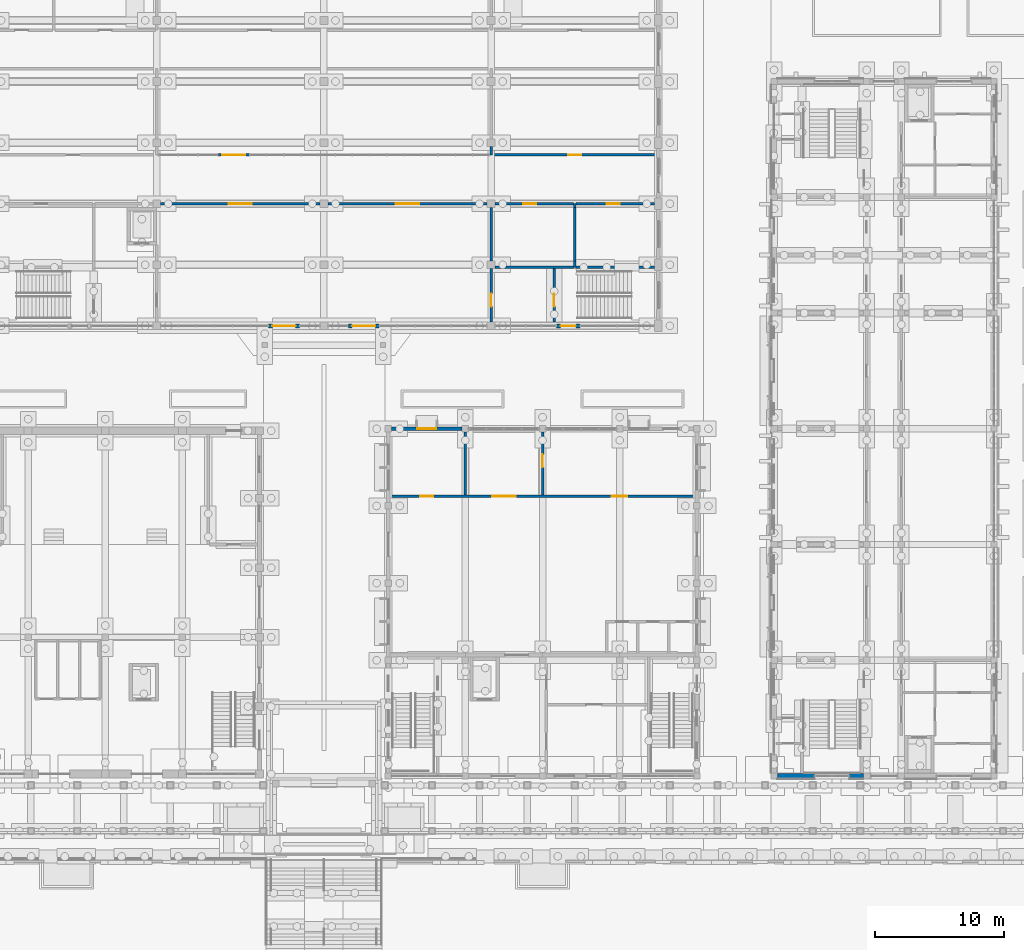
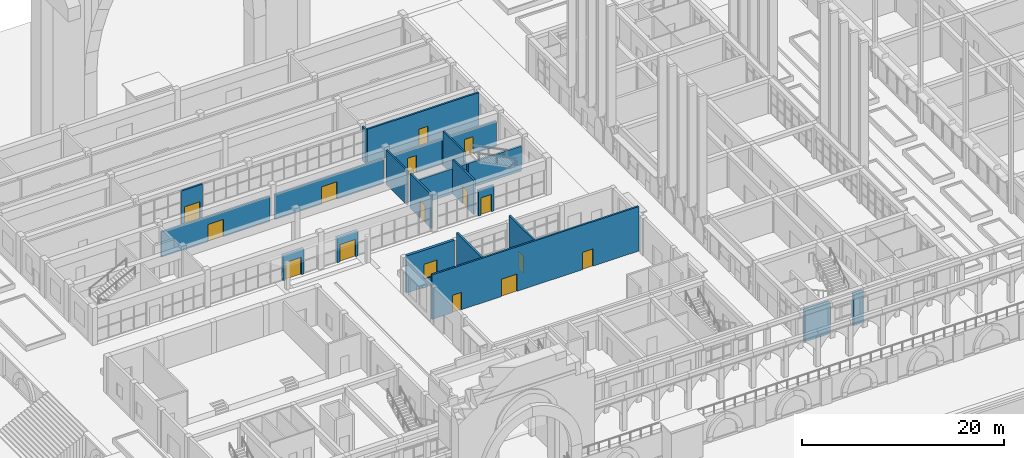
# One storey, part 56 of 161: 24 walls, 15 doors, 1 window, 16 openings.
"""IFC4 building model written with IfcOpenShell, lengths in metres."""

from ifc_helpers import new_model, si_unit, direction, frame, frame_2d, origin, place, context, subcontext, project, spatial, rectangle, extrude, material, layer, layer_set, type_object, element, fill, save


model = new_model("IFC4")

# Units and contexts
model_context = context("Model", 3, precision=1e-05, world=origin(), true_north=direction((0.0, 1.0)))
body_context = subcontext(model_context, "Body", "Model", "MODEL_VIEW")
ifc_project = project(units=[si_unit("LENGTHUNIT", "METRE"), si_unit("AREAUNIT", "SQUARE_METRE"), si_unit("VOLUMEUNIT", "CUBIC_METRE"), si_unit("PLANEANGLEUNIT", "RADIAN"), si_unit("MASSUNIT", "GRAM", prefix="KILO")], contexts=[model_context])

# Site, building, storey
site_placement = place(None, origin())
site = spatial("IfcSite", under=ifc_project, at=site_placement, CompositionType="ELEMENT")
building_placement = place(site_placement, origin())
building = spatial("IfcBuilding", under=site, at=building_placement, Name="Elbe Cascade School", CompositionType="ELEMENT")
storey_placement = place(building_placement, origin())
storey = spatial("IfcBuildingStorey", under=building, at=storey_placement, Name="L00", CompositionType="ELEMENT", Elevation=0.0)

# Walls
ifc_material_1 = material(Name="Brick masonry - red clinker, solid, sandstone-faced", Category="masonry")
ifc_layer_1 = layer(ifc_material_1, 0.39990234375)
ifc_layer_set_1 = layer_set([ifc_layer_1], Name="Brick masonry - red clinker, solid, sandstone-faced")
wall_type_1 = type_object("IfcWallType", Name="Bars envelope External wall - solid masonry core strip, sandstone faced, 400", PredefinedType="STANDARD", material=ifc_layer_set_1)
wall_1_placement = place(storey_placement, frame((72.14990234375, 5.97998046875, 0.0), z_axis=(0.0, 0.0, 1.0), x_axis=(-1.0, 0.0, 0.0)))
element("IfcWall", 1, at=wall_1_placement, inside=storey, type_object=wall_type_1, Name="External wall W31 A.L00.s1a", PredefinedType="STANDARD", context=body_context, shape_type="SweptSolid", body=[
    extrude(rectangle(XDim=2.89990234375, YDim=0.39990234375, at=frame_2d((1.449951171875, 0.0))), origin(), (0.0, 0.0, 1.0), 3.800048828125),
])
wall_2_placement = place(storey_placement, frame((75.949951171875, 5.97998046875, 0.0), z_axis=(0.0, 0.0, 1.0), x_axis=(-1.0, 0.0, 0.0)))
element("IfcWall", 2, at=wall_2_placement, inside=storey, type_object=wall_type_1, Name="External wall W31 A.L00.s1b", PredefinedType="STANDARD", context=body_context, shape_type="SweptSolid", body=[
    extrude(rectangle(XDim=1.099853515625, YDim=0.39990234375, at=frame_2d((0.5498046875, 0.0))), origin(), (0.0, 0.0, 1.0), 3.800048828125),
])

# Wall, opening, window
ifc_material_2 = material(Name="Concrete C30/37", Category="concrete")
ifc_layer_2 = layer(ifc_material_2, 0.300048828125)
ifc_layer_set_2 = layer_set([ifc_layer_2], Name="Concrete C30/37")
wall_type_2 = type_object("IfcWallType", Name="Dining hall RC wall 300", PredefinedType="SOLIDWALL", material=ifc_layer_set_2)
wall_3_placement = place(storey_placement, frame((39.25, 33.0, 0.0), z_axis=(0.0, 0.0, 1.0), x_axis=(1.0, 0.0, 0.0)))
wall_3 = element("IfcWall", 3, at=wall_3_placement, inside=storey, type_object=wall_type_2, Name="Dining hall RC wall 300 W11", PredefinedType="SOLIDWALL", context=body_context, shape_type="SweptSolid", body=[
    extrude(rectangle(XDim=5.5, YDim=0.300048828125, at=frame_2d((2.75, 0.0))), origin(), (0.0, 0.0, 1.0), 4.5),
])
opening_1_placement = place(wall_3_placement, frame((2.0, 0.0, 1.0)))
opening_1 = element("IfcOpeningElement", 4, at=opening_1_placement, cuts=wall_3, Name="Opening W0.156", PredefinedType="OPENING", context=body_context, shape_type="SweptSolid", body=[
    extrude(rectangle(XDim=1.5, YDim=1.800048828125, at=frame_2d((0.75, 0.89990234375))), frame((0.0, 0.159912109375, 0.0), z_axis=(0.0, -1.0, 0.0), x_axis=(1.0, 0.0, 0.0)), (0.0, 0.0, 1.0), 0.320068359375),
])
ifc_material_3 = material(Name="Aluminium - bronze anodised", Category="aluminium")
window_type = type_object("IfcWindowType", Name="Dining kitchen window 1500x1800 sill 1000", PartitioningType="SINGLE_PANEL", PredefinedType="WINDOW", material=ifc_material_3)
window_placement = place(opening_1_placement, origin())
window = element("IfcWindow", 5, at=window_placement, inside=storey, type_object=window_type, Name="Dining kitchen window 1500x1800 sill 1000 W0.156", OverallHeight=1.800048828125, OverallWidth=1.5, PartitioningType="SINGLE_PANEL", PredefinedType="WINDOW", context=body_context, shape_type="SweptSolid", body=[
    extrude(rectangle(XDim=1.5, YDim=1.800048828125, at=frame_2d((0.75, 0.89990234375))), frame((0.0, 0.030029296875, 0.0), z_axis=(0.0, -1.0, 0.0), x_axis=(1.0, 0.0, 0.0)), (0.0, 0.0, 1.0), 0.06005859375),
])
fill(opening_1, window)

# Wall, openings, doors
ifc_material_4 = material(Name="Masonry - rendered blockwork", Category="masonry")
ifc_layer_3 = layer(ifc_material_4, 0.199951171875)
ifc_layer_set_3 = layer_set([ifc_layer_3], Name="Masonry - rendered blockwork")
wall_type_3 = type_object("IfcWallType", Name="Dining partition wall 200", PredefinedType="PARTITIONING", material=ifc_layer_set_3)
wall_4_placement = place(storey_placement, frame((39.14990234375, 27.75, 0.0), z_axis=(0.0, 0.0, 1.0), x_axis=(1.0, 0.0, 0.0)))
wall_4 = element("IfcWall", 6, at=wall_4_placement, inside=storey, type_object=wall_type_3, Name="Dining partition wall 200 W41", PredefinedType="PARTITIONING", context=body_context, shape_type="SweptSolid", body=[
    extrude(rectangle(XDim=23.7001953125, YDim=0.199951171875, at=frame_2d((11.85009765625, 0.0))), origin(), (0.0, 0.0, 1.0), 5.39990234375),
])
opening_2_placement = place(wall_4_placement, frame((2.35009765625, 0.0, 0.0)))
opening_2 = element("IfcOpeningElement", 7, at=opening_2_placement, cuts=wall_4, Name="Opening D0.184", PredefinedType="OPENING", context=body_context, shape_type="SweptSolid", body=[
    extrude(rectangle(XDim=1.0, YDim=2.10009765625, at=frame_2d((0.5, 1.050048828125))), frame((0.0, 0.10986328125, 0.0), z_axis=(0.0, -1.0, 0.0), x_axis=(1.0, 0.0, 0.0)), (0.0, 0.0, 1.0), 0.219970703125),
])
opening_3_placement = place(wall_4_placement, frame((7.949951171875, 0.0, 0.0)))
opening_3 = element("IfcOpeningElement", 8, at=opening_3_placement, cuts=wall_4, Name="Opening D0.185", PredefinedType="OPENING", context=body_context, shape_type="SweptSolid", body=[
    extrude(rectangle(XDim=1.800048828125, YDim=2.10009765625, at=frame_2d((0.89990234375, 1.050048828125))), frame((0.0, 0.10986328125, 0.0), z_axis=(0.0, -1.0, 0.0), x_axis=(1.0, 0.0, 0.0)), (0.0, 0.0, 1.0), 0.219970703125),
])
opening_4_placement = place(wall_4_placement, frame((17.25, 0.0, 0.0)))
opening_4 = element("IfcOpeningElement", 9, at=opening_4_placement, cuts=wall_4, Name="Opening D0.186", PredefinedType="OPENING", context=body_context, shape_type="SweptSolid", body=[
    extrude(rectangle(XDim=1.199951171875, YDim=2.10009765625, at=frame_2d((0.60009765625, 1.050048828125))), frame((0.0, 0.10986328125, 0.0), z_axis=(0.0, -1.0, 0.0), x_axis=(1.0, 0.0, 0.0)), (0.0, 0.0, 1.0), 0.219970703125),
])
ifc_material_5 = material(Name="Timber - oak door leaf", Category="wood")
door_type_1 = type_object("IfcDoorType", Name="Dining kitchen door 1200x2100 swing NOT RATED", OperationType="NOTDEFINED", PredefinedType="NOTDEFINED", material=ifc_material_5)
door_1_placement = place(opening_4_placement, origin())
door_1 = element("IfcDoor", 10, at=door_1_placement, inside=storey, type_object=door_type_1, Name="Dining kitchen door 1200x2100 swing NOT RATED D0.186", OperationType="SINGLE_SWING_LEFT", OverallHeight=2.10009765625, OverallWidth=1.199951171875, PredefinedType="NOTDEFINED", context=body_context, shape_type="SweptSolid", body=[
    extrude(rectangle(XDim=1.199951171875, YDim=2.10009765625, at=frame_2d((0.60009765625, 1.050048828125))), frame((0.0, 0.02490234375, 0.0), z_axis=(0.0, -1.0, 0.0), x_axis=(1.0, 0.0, 0.0)), (0.0, 0.0, 1.0), 0.050048828125),
])
fill(opening_4, door_1)
ifc_material_6 = material(Name="Timber - oak door leaf", Category="wood")
door_type_2 = type_object("IfcDoorType", Name="Dining servery door 1800x2100 double NOT RATED", OperationType="DOUBLE_DOOR_SINGLE_SWING", PredefinedType="NOTDEFINED", material=ifc_material_6)
door_2_placement = place(opening_3_placement, origin())
door_2 = element("IfcDoor", 11, at=door_2_placement, inside=storey, type_object=door_type_2, Name="Dining servery door 1800x2100 double NOT RATED D0.185", OperationType="DOUBLE_DOOR_SINGLE_SWING", OverallHeight=2.10009765625, OverallWidth=1.800048828125, PredefinedType="NOTDEFINED", context=body_context, shape_type="SweptSolid", body=[
    extrude(rectangle(XDim=1.800048828125, YDim=2.10009765625, at=frame_2d((0.89990234375, 1.050048828125))), frame((0.0, 0.02490234375, 0.0), z_axis=(0.0, -1.0, 0.0), x_axis=(1.0, 0.0, 0.0)), (0.0, 0.0, 1.0), 0.050048828125),
])
fill(opening_3, door_2)
ifc_material_7 = material(Name="Timber - oak door leaf", Category="wood")
door_type_3 = type_object("IfcDoorType", Name="Dining store door 1000x2100 swing NOT RATED", OperationType="NOTDEFINED", PredefinedType="NOTDEFINED", material=ifc_material_7)
door_3_placement = place(opening_2_placement, origin())
door_3 = element("IfcDoor", 12, at=door_3_placement, inside=storey, type_object=door_type_3, Name="Dining store door 1000x2100 swing NOT RATED D0.184", OperationType="SINGLE_SWING_RIGHT", OverallHeight=2.10009765625, OverallWidth=1.0, PredefinedType="NOTDEFINED", context=body_context, shape_type="SweptSolid", body=[
    extrude(rectangle(XDim=1.0, YDim=2.10009765625, at=frame_2d((0.5, 1.050048828125))), frame((0.0, 0.02490234375, 0.0), z_axis=(0.0, -1.0, 0.0), x_axis=(1.0, 0.0, 0.0)), (0.0, 0.0, 1.0), 0.050048828125),
])
fill(opening_2, door_3)

# Wall
wall_5_placement = place(storey_placement, frame((45.0, 27.85009765625, 0.0), z_axis=(0.0, 0.0, 1.0), x_axis=(0.0, 1.0, 0.0)))
element("IfcWall", 13, at=wall_5_placement, inside=storey, type_object=wall_type_3, Name="Dining partition wall 200 W41", PredefinedType="PARTITIONING", context=body_context, shape_type="SweptSolid", body=[
    extrude(rectangle(XDim=4.89990234375, YDim=0.199951171875, at=frame_2d((2.449951171875, 0.0))), origin(), (0.0, 0.0, 1.0), 5.39990234375),
])

# Wall, opening, door
wall_6_placement = place(storey_placement, frame((51.0, 27.85009765625, 0.0), z_axis=(0.0, 0.0, 1.0), x_axis=(0.0, 1.0, 0.0)))
wall_6 = element("IfcWall", 14, at=wall_6_placement, inside=storey, type_object=wall_type_3, Name="Dining partition wall 200 W41", PredefinedType="PARTITIONING", context=body_context, shape_type="SweptSolid", body=[
    extrude(rectangle(XDim=4.89990234375, YDim=0.199951171875, at=frame_2d((2.449951171875, 0.0))), origin(), (0.0, 0.0, 1.0), 5.39990234375),
])
opening_5_placement = place(wall_6_placement, frame((2.14990234375, 0.0, 0.0)))
opening_5 = element("IfcOpeningElement", 15, at=opening_5_placement, cuts=wall_6, Name="Opening D0.187", PredefinedType="OPENING", context=body_context, shape_type="SweptSolid", body=[
    extrude(rectangle(XDim=1.0, YDim=2.10009765625, at=frame_2d((0.5, 1.050048828125))), frame((0.0, 0.10986328125, 0.0), z_axis=(0.0, -1.0, 0.0), x_axis=(1.0, 0.0, 0.0)), (0.0, 0.0, 1.0), 0.219970703125),
])
ifc_material_8 = material(Name="Timber - oak door leaf", Category="wood")
door_type_4 = type_object("IfcDoorType", Name="Dining kitchen door 1000x2100 swing NOT RATED", OperationType="NOTDEFINED", PredefinedType="NOTDEFINED", material=ifc_material_8)
door_4_placement = place(opening_5_placement, origin())
door_4 = element("IfcDoor", 16, at=door_4_placement, inside=storey, type_object=door_type_4, Name="Dining kitchen door 1000x2100 swing NOT RATED D0.187", OperationType="SINGLE_SWING_RIGHT", OverallHeight=2.10009765625, OverallWidth=1.0, PredefinedType="NOTDEFINED", context=body_context, shape_type="SweptSolid", body=[
    extrude(rectangle(XDim=1.0, YDim=2.10009765625, at=frame_2d((0.5, 1.050048828125))), frame((0.0, 0.02490234375, 0.0), z_axis=(0.0, -1.0, 0.0), x_axis=(1.0, 0.0, 0.0)), (0.0, 0.0, 1.0), 0.050048828125),
])
fill(opening_5, door_4)

ifc_material_9 = material(Name="Blockwork - lightweight aggregate", Category="masonry")
ifc_layer_4 = layer(ifc_material_9, 0.199951171875)
ifc_layer_set_4 = layer_set([ifc_layer_4], Name="Blockwork - lightweight aggregate")
wall_type_4 = type_object("IfcWallType", Name="Hall blockwork partition 200", PredefinedType="PARTITIONING", material=ifc_layer_set_4)
wall_7_placement = place(storey_placement, frame((21.300048828125, 50.5, 0.0), z_axis=(0.0, 0.0, 1.0), x_axis=(1.0, 0.0, 0.0)))
wall_7 = element("IfcWall", 17, at=wall_7_placement, inside=storey, type_object=wall_type_4, Name="Partition", PredefinedType="PARTITIONING", context=body_context, shape_type="SweptSolid", body=[
    extrude(rectangle(XDim=12.39990234375, YDim=0.199951171875, at=frame_2d((6.199951171875, 0.0))), origin(), (0.0, 0.0, 1.0), 3.050048828125),
])
opening_6_placement = place(wall_7_placement, frame((5.300048828125, 0.0, 0.0)))
opening_6 = element("IfcOpeningElement", 18, at=opening_6_placement, cuts=wall_7, Name="Opening D0.137", PredefinedType="OPENING", context=body_context, shape_type="SweptSolid", body=[
    extrude(rectangle(XDim=1.800048828125, YDim=2.10009765625, at=frame_2d((0.89990234375, 1.050048828125))), frame((0.0, 0.10986328125, 0.0), z_axis=(0.0, -1.0, 0.0), x_axis=(1.0, 0.0, 0.0)), (0.0, 0.0, 1.0), 0.219970703125),
])
ifc_material_10 = material(Name="Timber door leaf", Category="wood")
door_type_5 = type_object("IfcDoorType", Name="Hall double door 1800", OperationType="DOUBLE_DOOR_SINGLE_SWING", PredefinedType="DOOR", material=ifc_material_10)
door_5_placement = place(opening_6_placement, origin())
door_5 = element("IfcDoor", 19, at=door_5_placement, inside=storey, type_object=door_type_5, Name="Hall door", OperationType="DOUBLE_DOOR_SINGLE_SWING", OverallHeight=2.10009765625, OverallWidth=1.800048828125, PredefinedType="DOOR", context=body_context, shape_type="SweptSolid", body=[
    extrude(rectangle(XDim=1.800048828125, YDim=2.10009765625, at=frame_2d((0.89990234375, 1.050048828125))), frame((0.0, 0.02490234375, 0.0), z_axis=(0.0, -1.0, 0.0), x_axis=(1.0, 0.0, 0.0)), (0.0, 0.0, 1.0), 0.050048828125),
])
fill(opening_6, door_5)

wall_8_placement = place(storey_placement, frame((34.300048828125, 50.5, 0.0), z_axis=(0.0, 0.0, 1.0), x_axis=(1.0, 0.0, 0.0)))
wall_8 = element("IfcWall", 20, at=wall_8_placement, inside=storey, type_object=wall_type_4, Name="Partition", PredefinedType="PARTITIONING", context=body_context, shape_type="SweptSolid", body=[
    extrude(rectangle(XDim=12.39990234375, YDim=0.199951171875, at=frame_2d((6.199951171875, 0.0))), origin(), (0.0, 0.0, 1.0), 3.050048828125),
])
opening_7_placement = place(wall_8_placement, frame((5.300048828125, 0.0, 0.0)))
opening_7 = element("IfcOpeningElement", 21, at=opening_7_placement, cuts=wall_8, Name="Opening D0.138", PredefinedType="OPENING", context=body_context, shape_type="SweptSolid", body=[
    extrude(rectangle(XDim=1.800048828125, YDim=2.10009765625, at=frame_2d((0.89990234375, 1.050048828125))), frame((0.0, 0.10986328125, 0.0), z_axis=(0.0, -1.0, 0.0), x_axis=(1.0, 0.0, 0.0)), (0.0, 0.0, 1.0), 0.219970703125),
])
door_6_placement = place(opening_7_placement, origin())
door_6 = element("IfcDoor", 22, at=door_6_placement, inside=storey, type_object=door_type_5, Name="Hall door", OperationType="DOUBLE_DOOR_SINGLE_SWING", OverallHeight=2.10009765625, OverallWidth=1.800048828125, PredefinedType="DOOR", context=body_context, shape_type="SweptSolid", body=[
    extrude(rectangle(XDim=1.800048828125, YDim=2.10009765625, at=frame_2d((0.89990234375, 1.050048828125))), frame((0.0, 0.02490234375, 0.0), z_axis=(0.0, -1.0, 0.0), x_axis=(1.0, 0.0, 0.0)), (0.0, 0.0, 1.0), 0.050048828125),
])
fill(opening_7, door_6)

wall_9_placement = place(storey_placement, frame((47.300048828125, 50.5, 0.0), z_axis=(0.0, 0.0, 1.0), x_axis=(1.0, 0.0, 0.0)))
wall_9 = element("IfcWall", 23, at=wall_9_placement, inside=storey, type_object=wall_type_4, Name="Partition", PredefinedType="PARTITIONING", context=body_context, shape_type="SweptSolid", body=[
    extrude(rectangle(XDim=6.099853515625, YDim=0.199951171875, at=frame_2d((3.0498046875, 0.0))), origin(), (0.0, 0.0, 1.0), 3.050048828125),
])
opening_8_placement = place(wall_9_placement, frame((2.199951171875, 0.0, 0.0)))
opening_8 = element("IfcOpeningElement", 24, at=opening_8_placement, cuts=wall_9, Name="Opening D0.139", PredefinedType="OPENING", context=body_context, shape_type="SweptSolid", body=[
    extrude(rectangle(XDim=1.0, YDim=2.10009765625, at=frame_2d((0.5, 1.050048828125))), frame((0.0, 0.10986328125, 0.0), z_axis=(0.0, -1.0, 0.0), x_axis=(1.0, 0.0, 0.0)), (0.0, 0.0, 1.0), 0.219970703125),
])
ifc_material_11 = material(Name="Timber door leaf", Category="wood")
door_type_6 = type_object("IfcDoorType", Name="Hall door 1000", OperationType="SINGLE_SWING_LEFT", PredefinedType="DOOR", material=ifc_material_11)
door_7_placement = place(opening_8_placement, frame((1.0, 0.0, 0.0), z_axis=(0.0, 0.0, 1.0), x_axis=(-1.0, 0.0, 0.0)))
door_7 = element("IfcDoor", 25, at=door_7_placement, inside=storey, type_object=door_type_6, Name="WC door", OperationType="SINGLE_SWING_RIGHT", OverallHeight=2.10009765625, OverallWidth=1.0, PredefinedType="DOOR", context=body_context, shape_type="SweptSolid", body=[
    extrude(rectangle(XDim=1.0, YDim=2.10009765625, at=frame_2d((0.5, 1.050048828125))), frame((0.0, 0.02490234375, 0.0), z_axis=(0.0, -1.0, 0.0), x_axis=(1.0, 0.0, 0.0)), (0.0, 0.0, 1.0), 0.050048828125),
])
fill(opening_8, door_7)

wall_10_placement = place(storey_placement, frame((53.60009765625, 50.5, 0.0), z_axis=(0.0, 0.0, 1.0), x_axis=(1.0, 0.0, 0.0)))
wall_10 = element("IfcWall", 26, at=wall_10_placement, inside=storey, type_object=wall_type_4, Name="Partition", PredefinedType="PARTITIONING", context=body_context, shape_type="SweptSolid", body=[
    extrude(rectangle(XDim=6.099853515625, YDim=0.199951171875, at=frame_2d((3.0498046875, 0.0))), origin(), (0.0, 0.0, 1.0), 3.050048828125),
])
opening_9_placement = place(wall_10_placement, frame((2.39990234375, 0.0, 0.0)))
opening_9 = element("IfcOpeningElement", 27, at=opening_9_placement, cuts=wall_10, Name="Opening D0.140", PredefinedType="OPENING", context=body_context, shape_type="SweptSolid", body=[
    extrude(rectangle(XDim=1.0, YDim=2.10009765625, at=frame_2d((0.5, 1.050048828125))), frame((0.0, 0.10986328125, 0.0), z_axis=(0.0, -1.0, 0.0), x_axis=(1.0, 0.0, 0.0)), (0.0, 0.0, 1.0), 0.219970703125),
])
door_8_placement = place(opening_9_placement, frame((1.0, 0.0, 0.0), z_axis=(0.0, 0.0, 1.0), x_axis=(-1.0, 0.0, 0.0)))
door_8 = element("IfcDoor", 28, at=door_8_placement, inside=storey, type_object=door_type_6, Name="WC door", OperationType="SINGLE_SWING_LEFT", OverallHeight=2.10009765625, OverallWidth=1.0, PredefinedType="DOOR", context=body_context, shape_type="SweptSolid", body=[
    extrude(rectangle(XDim=1.0, YDim=2.10009765625, at=frame_2d((0.5, 1.050048828125))), frame((0.0, 0.02490234375, 0.0), z_axis=(0.0, -1.0, 0.0), x_axis=(1.0, 0.0, 0.0)), (0.0, 0.0, 1.0), 0.050048828125),
])
fill(opening_9, door_8)

wall_11_placement = place(storey_placement, frame((25.800048828125, 54.300048828125, 0.0), z_axis=(0.0, 0.0, 1.0), x_axis=(1.0, 0.0, 0.0)))
wall_11 = element("IfcWall", 29, at=wall_11_placement, inside=storey, type_object=wall_type_4, Name="Partition", PredefinedType="PARTITIONING", context=body_context, shape_type="SweptSolid", body=[
    extrude(rectangle(XDim=2.39990234375, YDim=0.199951171875, at=frame_2d((1.199951171875, 0.0))), origin(), (0.0, 0.0, 1.0), 4.14990234375),
])
opening_10_placement = place(wall_11_placement, frame((0.300048828125, 0.0, 0.0)))
opening_10 = element("IfcOpeningElement", 30, at=opening_10_placement, cuts=wall_11, Name="Opening D0.144", PredefinedType="OPENING", context=body_context, shape_type="SweptSolid", body=[
    extrude(rectangle(XDim=1.800048828125, YDim=2.10009765625, at=frame_2d((0.89990234375, 1.050048828125))), frame((0.0, 0.10986328125, 0.0), z_axis=(0.0, -1.0, 0.0), x_axis=(1.0, 0.0, 0.0)), (0.0, 0.0, 1.0), 0.219970703125),
])
door_9_placement = place(opening_10_placement, origin())
door_9 = element("IfcDoor", 31, at=door_9_placement, inside=storey, type_object=door_type_5, Name="Studio door", OperationType="DOUBLE_DOOR_SINGLE_SWING", OverallHeight=2.10009765625, OverallWidth=1.800048828125, PredefinedType="DOOR", context=body_context, shape_type="SweptSolid", body=[
    extrude(rectangle(XDim=1.800048828125, YDim=2.10009765625, at=frame_2d((0.89990234375, 1.050048828125))), frame((0.0, 0.02490234375, 0.0), z_axis=(0.0, -1.0, 0.0), x_axis=(1.0, 0.0, 0.0)), (0.0, 0.0, 1.0), 0.050048828125),
])
fill(opening_10, door_9)

wall_12_placement = place(storey_placement, frame((47.10009765625, 54.300048828125, 0.0), z_axis=(0.0, 0.0, 1.0), x_axis=(1.0, 0.0, 0.0)))
wall_12 = element("IfcWall", 32, at=wall_12_placement, inside=storey, type_object=wall_type_4, Name="Partition", PredefinedType="PARTITIONING", context=body_context, shape_type="SweptSolid", body=[
    extrude(rectangle(XDim=12.75, YDim=0.199951171875, at=frame_2d((6.375, 0.0))), origin(), (0.0, 0.0, 1.0), 4.14990234375),
])
opening_11_placement = place(wall_12_placement, frame((5.89990234375, 0.0, 0.0)))
opening_11 = element("IfcOpeningElement", 33, at=opening_11_placement, cuts=wall_12, Name="Opening D0.145", PredefinedType="OPENING", context=body_context, shape_type="SweptSolid", body=[
    extrude(rectangle(XDim=1.0, YDim=2.10009765625, at=frame_2d((0.5, 1.050048828125))), frame((0.0, 0.10986328125, 0.0), z_axis=(0.0, -1.0, 0.0), x_axis=(1.0, 0.0, 0.0)), (0.0, 0.0, 1.0), 0.219970703125),
])
door_10_placement = place(opening_11_placement, origin())
door_10 = element("IfcDoor", 34, at=door_10_placement, inside=storey, type_object=door_type_6, Name="Changing room door", OperationType="SINGLE_SWING_LEFT", OverallHeight=2.10009765625, OverallWidth=1.0, PredefinedType="DOOR", context=body_context, shape_type="SweptSolid", body=[
    extrude(rectangle(XDim=1.0, YDim=2.10009765625, at=frame_2d((0.5, 1.050048828125))), frame((0.0, 0.02490234375, 0.0), z_axis=(0.0, -1.0, 0.0), x_axis=(1.0, 0.0, 0.0)), (0.0, 0.0, 1.0), 0.050048828125),
])
fill(opening_11, door_10)

# Walls
wall_13_placement = place(storey_placement, frame((47.0, 46.050048828125, 0.0), z_axis=(0.0, 0.0, 1.0), x_axis=(0.0, 1.0, 0.0)))
element("IfcWall", 35, at=wall_13_placement, inside=storey, type_object=wall_type_4, Name="Partition", PredefinedType="PARTITIONING", context=body_context, shape_type="SweptSolid", body=[
    extrude(rectangle(XDim=4.14990234375, YDim=0.199951171875, at=frame_2d((2.074951171875, 0.0))), origin(), (0.0, 0.0, 1.0), 4.14990234375),
])
wall_14_placement = place(storey_placement, frame((47.0, 54.300048828125, 0.0), z_axis=(0.0, 0.0, 1.0), x_axis=(0.0, 1.0, 0.0)))
element("IfcWall", 36, at=wall_14_placement, inside=storey, type_object=wall_type_4, Name="Partition", PredefinedType="PARTITIONING", context=body_context, shape_type="SweptSolid", body=[
    extrude(rectangle(XDim=0.64990234375, YDim=0.199951171875, at=frame_2d((0.324951171875, 0.0))), origin(), (0.0, 0.0, 1.0), 4.14990234375),
])
wall_15_placement = place(storey_placement, frame((53.5, 45.550048828125, 0.0), z_axis=(0.0, 0.0, 1.0), x_axis=(0.0, 1.0, 0.0)))
element("IfcWall", 37, at=wall_15_placement, inside=storey, type_object=wall_type_4, Name="Partition", PredefinedType="PARTITIONING", context=body_context, shape_type="SweptSolid", body=[
    extrude(rectangle(XDim=0.5, YDim=0.199951171875, at=frame_2d((0.25, 0.0))), origin(), (0.0, 0.0, 1.0), 3.050048828125),
])
wall_16_placement = place(storey_placement, frame((53.5, 46.050048828125, 0.0), z_axis=(0.0, 0.0, 1.0), x_axis=(0.0, 1.0, 0.0)))
element("IfcWall", 38, at=wall_16_placement, inside=storey, type_object=wall_type_4, Name="Partition", PredefinedType="PARTITIONING", context=body_context, shape_type="SweptSolid", body=[
    extrude(rectangle(XDim=4.14990234375, YDim=0.199951171875, at=frame_2d((2.074951171875, 0.0))), origin(), (0.0, 0.0, 1.0), 4.14990234375),
])
wall_17_placement = place(storey_placement, frame((53.5, 50.199951171875, 0.0), z_axis=(0.0, 0.0, 1.0), x_axis=(0.0, 1.0, 0.0)))
element("IfcWall", 39, at=wall_17_placement, inside=storey, type_object=wall_type_4, Name="Partition", PredefinedType="PARTITIONING", context=body_context, shape_type="SweptSolid", body=[
    extrude(rectangle(XDim=0.300048828125, YDim=0.199951171875, at=frame_2d((0.14990234375, 0.0))), origin(), (0.0, 0.0, 1.0), 3.050048828125),
])
ifc_material_12 = material(Name="Blockwork - lightweight aggregate, fire-rated", Category="masonry")
ifc_layer_5 = layer(ifc_material_12, 0.199951171875)
ifc_layer_set_5 = layer_set([ifc_layer_5], Name="Blockwork - lightweight aggregate, fire-rated")
wall_type_5 = type_object("IfcWallType", Name="Hall fire-rated partition 200", PredefinedType="PARTITIONING", material=ifc_layer_set_5)
wall_18_placement = place(storey_placement, frame((47.300048828125, 45.550048828125, 0.0), z_axis=(0.0, 0.0, 1.0), x_axis=(1.0, 0.0, 0.0)))
element("IfcWall", 40, at=wall_18_placement, inside=storey, type_object=wall_type_5, Name="Partition", PredefinedType="PARTITIONING", context=body_context, shape_type="SweptSolid", body=[
    extrude(rectangle(XDim=6.099853515625, YDim=0.199951171875, at=frame_2d((3.0498046875, 0.0))), origin(), (0.0, 0.0, 1.0), 3.050048828125),
])

# Wall, opening, door
wall_19_placement = place(storey_placement, frame((47.0, 41.300048828125, 0.0), z_axis=(0.0, 0.0, 1.0), x_axis=(0.0, 1.0, 0.0)))
wall_19 = element("IfcWall", 41, at=wall_19_placement, inside=storey, type_object=wall_type_5, Name="Partition", PredefinedType="PARTITIONING", context=body_context, shape_type="SweptSolid", body=[
    extrude(rectangle(XDim=4.14990234375, YDim=0.199951171875, at=frame_2d((2.074951171875, 0.0))), origin(), (0.0, 0.0, 1.0), 4.14990234375),
])
opening_12_placement = place(wall_19_placement, frame((1.199951171875, 0.0, 0.0)))
opening_12 = element("IfcOpeningElement", 42, at=opening_12_placement, cuts=wall_19, Name="Opening D0.133", PredefinedType="OPENING", context=body_context, shape_type="SweptSolid", body=[
    extrude(rectangle(XDim=1.0, YDim=2.10009765625, at=frame_2d((0.5, 1.050048828125))), frame((0.0, 0.10986328125, 0.0), z_axis=(0.0, -1.0, 0.0), x_axis=(1.0, 0.0, 0.0)), (0.0, 0.0, 1.0), 0.219970703125),
])
ifc_material_13 = material(Name="Steel fire door leaf", Category="steel")
door_type_7 = type_object("IfcDoorType", Name="Hall fire door 1000 FD30S", OperationType="SINGLE_SWING_LEFT", PredefinedType="DOOR", material=ifc_material_13)
door_11_placement = place(opening_12_placement, origin())
door_11 = element("IfcDoor", 43, at=door_11_placement, inside=storey, type_object=door_type_7, Name="Lobby door", OperationType="SINGLE_SWING_RIGHT", OverallHeight=2.10009765625, OverallWidth=1.0, PredefinedType="DOOR", context=body_context, shape_type="SweptSolid", body=[
    extrude(rectangle(XDim=1.0, YDim=2.10009765625, at=frame_2d((0.5, 1.050048828125))), frame((0.0, 0.02490234375, 0.0), z_axis=(0.0, -1.0, 0.0), x_axis=(1.0, 0.0, 0.0)), (0.0, 0.0, 1.0), 0.050048828125),
])
fill(opening_12, door_11)

# Wall
ifc_material_14 = material(Name="Concrete C30/37", Category="concrete")
ifc_layer_6 = layer(ifc_material_14, 0.199951171875)
ifc_layer_set_6 = layer_set([ifc_layer_6], Name="Concrete C30/37")
wall_type_6 = type_object("IfcWallType", Name="Hall stair room wall 200", PredefinedType="SOLIDWALL", material=ifc_layer_set_6)
wall_20_placement = place(storey_placement, frame((53.60009765625, 45.550048828125, 0.0), z_axis=(0.0, 0.0, 1.0), x_axis=(1.0, 0.0, 0.0)))
element("IfcWall", 44, at=wall_20_placement, inside=storey, type_object=wall_type_6, Name="Stair room wall", PredefinedType="SOLIDWALL", context=body_context, shape_type="SweptSolid", body=[
    extrude(rectangle(XDim=6.099853515625, YDim=0.199951171875, at=frame_2d((3.0498046875, 0.0))), origin(), (0.0, 0.0, 1.0), 3.050048828125),
])

# Wall, opening, door
wall_21_placement = place(storey_placement, frame((51.89990234375, 41.300048828125, 0.0), z_axis=(0.0, 0.0, 1.0), x_axis=(0.0, 1.0, 0.0)))
wall_21 = element("IfcWall", 45, at=wall_21_placement, inside=storey, type_object=wall_type_6, Name="Stair room wall", PredefinedType="SOLIDWALL", context=body_context, shape_type="SweptSolid", body=[
    extrude(rectangle(XDim=4.14990234375, YDim=0.199951171875, at=frame_2d((2.074951171875, 0.0))), origin(), (0.0, 0.0, 1.0), 4.14990234375),
])
opening_13_placement = place(wall_21_placement, frame((1.199951171875, 0.0, 0.0)))
opening_13 = element("IfcOpeningElement", 46, at=opening_13_placement, cuts=wall_21, Name="Opening D0.134", PredefinedType="OPENING", context=body_context, shape_type="SweptSolid", body=[
    extrude(rectangle(XDim=1.0, YDim=2.10009765625, at=frame_2d((0.5, 1.050048828125))), frame((0.0, 0.10986328125, 0.0), z_axis=(0.0, -1.0, 0.0), x_axis=(1.0, 0.0, 0.0)), (0.0, 0.0, 1.0), 0.219970703125),
])
door_12_placement = place(opening_13_placement, origin())
door_12 = element("IfcDoor", 47, at=door_12_placement, inside=storey, type_object=door_type_7, Name="Stair door", OperationType="SINGLE_SWING_LEFT", OverallHeight=2.10009765625, OverallWidth=1.0, PredefinedType="DOOR", context=body_context, shape_type="SweptSolid", body=[
    extrude(rectangle(XDim=1.0, YDim=2.10009765625, at=frame_2d((0.5, 1.050048828125))), frame((0.0, 0.02490234375, 0.0), z_axis=(0.0, -1.0, 0.0), x_axis=(1.0, 0.0, 0.0)), (0.0, 0.0, 1.0), 0.050048828125),
])
fill(opening_13, door_12)

ifc_material_15 = material(Name="Concrete C30/37 wall", Category="concrete")
ifc_layer_7 = layer(ifc_material_15, 0.300048828125)
ifc_layer_set_7 = layer_set([ifc_layer_7], Name="Concrete C30/37 wall")
wall_type_7 = type_object("IfcWallType", Name="Hall wall Concrete C30/37 300 non-load-bearing", PredefinedType="SOLIDWALL", material=ifc_layer_set_7)
wall_22_placement = place(storey_placement, frame((29.699951171875, 41.0, 0.0), z_axis=(0.0, 0.0, 1.0), x_axis=(1.0, 0.0, 0.0)))
wall_22 = element("IfcWall", 48, at=wall_22_placement, inside=storey, type_object=wall_type_7, Name="Hall gable wall S2", PredefinedType="SOLIDWALL", context=body_context, shape_type="SweptSolid", body=[
    extrude(rectangle(XDim=2.400146484375, YDim=0.300048828125, at=frame_2d((1.2001953125, 0.0))), origin(), (0.0, 0.0, 1.0), 3.050048828125),
])
opening_14_placement = place(wall_22_placement, frame((0.300048828125, 0.0, 0.0)))
opening_14 = element("IfcOpeningElement", 49, at=opening_14_placement, cuts=wall_22, Name="Opening D0.128", PredefinedType="OPENING", context=body_context, shape_type="SweptSolid", body=[
    extrude(rectangle(XDim=1.800048828125, YDim=2.10009765625, at=frame_2d((0.89990234375, 1.050048828125))), frame((0.0, 0.159912109375, 0.0), z_axis=(0.0, -1.0, 0.0), x_axis=(1.0, 0.0, 0.0)), (0.0, 0.0, 1.0), 0.320068359375),
])
ifc_material_16 = material(Name="Aluminium - powder coated frame, glazed leaf", Category="aluminium")
door_type_8 = type_object("IfcDoorType", Name="Hall exterior double door 1800", OperationType="DOUBLE_DOOR_SINGLE_SWING", PredefinedType="DOOR", material=ifc_material_16)
door_13_placement = place(opening_14_placement, frame((1.800048828125, 0.0, 0.0), z_axis=(0.0, 0.0, 1.0), x_axis=(-1.0, 0.0, 0.0)))
door_13 = element("IfcDoor", 50, at=door_13_placement, inside=storey, type_object=door_type_8, Name="Main entrance", OperationType="DOUBLE_DOOR_SINGLE_SWING", OverallHeight=2.10009765625, OverallWidth=1.800048828125, PredefinedType="DOOR", context=body_context, shape_type="SweptSolid", body=[
    extrude(rectangle(XDim=1.800048828125, YDim=2.10009765625, at=frame_2d((0.89990234375, 1.050048828125))), frame((0.0, 0.02490234375, 0.0), z_axis=(0.0, -1.0, 0.0), x_axis=(1.0, 0.0, 0.0)), (0.0, 0.0, 1.0), 0.050048828125),
])
fill(opening_14, door_13)

wall_23_placement = place(storey_placement, frame((35.89990234375, 41.0, 0.0), z_axis=(0.0, 0.0, 1.0), x_axis=(1.0, 0.0, 0.0)))
wall_23 = element("IfcWall", 51, at=wall_23_placement, inside=storey, type_object=wall_type_7, Name="Hall gable wall S3", PredefinedType="SOLIDWALL", context=body_context, shape_type="SweptSolid", body=[
    extrude(rectangle(XDim=2.400146484375, YDim=0.300048828125, at=frame_2d((1.2001953125, 0.0))), origin(), (0.0, 0.0, 1.0), 3.050048828125),
])
opening_15_placement = place(wall_23_placement, frame((0.300048828125, 0.0, 0.0)))
opening_15 = element("IfcOpeningElement", 52, at=opening_15_placement, cuts=wall_23, Name="Opening D0.129", PredefinedType="OPENING", context=body_context, shape_type="SweptSolid", body=[
    extrude(rectangle(XDim=1.800048828125, YDim=2.10009765625, at=frame_2d((0.89990234375, 1.050048828125))), frame((0.0, 0.159912109375, 0.0), z_axis=(0.0, -1.0, 0.0), x_axis=(1.0, 0.0, 0.0)), (0.0, 0.0, 1.0), 0.320068359375),
])
door_14_placement = place(opening_15_placement, frame((1.800048828125, 0.0, 0.0), z_axis=(0.0, 0.0, 1.0), x_axis=(-1.0, 0.0, 0.0)))
door_14 = element("IfcDoor", 53, at=door_14_placement, inside=storey, type_object=door_type_8, Name="Main entrance", OperationType="DOUBLE_DOOR_SINGLE_SWING", OverallHeight=2.10009765625, OverallWidth=1.800048828125, PredefinedType="DOOR", context=body_context, shape_type="SweptSolid", body=[
    extrude(rectangle(XDim=1.800048828125, YDim=2.10009765625, at=frame_2d((0.89990234375, 1.050048828125))), frame((0.0, 0.02490234375, 0.0), z_axis=(0.0, -1.0, 0.0), x_axis=(1.0, 0.0, 0.0)), (0.0, 0.0, 1.0), 0.050048828125),
])
fill(opening_15, door_14)

wall_24_placement = place(storey_placement, frame((52.10009765625, 41.0, 0.0), z_axis=(0.0, 0.0, 1.0), x_axis=(1.0, 0.0, 0.0)))
wall_24 = element("IfcWall", 54, at=wall_24_placement, inside=storey, type_object=wall_type_7, Name="Hall gable wall S stair 2", PredefinedType="SOLIDWALL", context=body_context, shape_type="SweptSolid", body=[
    extrude(rectangle(XDim=1.7998046875, YDim=0.300048828125, at=frame_2d((0.89990234375, 0.0))), origin(), (0.0, 0.0, 1.0), 3.050048828125),
])
opening_16_placement = place(wall_24_placement, frame((0.300048828125, 0.0, 0.0)))
opening_16 = element("IfcOpeningElement", 55, at=opening_16_placement, cuts=wall_24, Name="Opening D0.130", PredefinedType="OPENING", context=body_context, shape_type="SweptSolid", body=[
    extrude(rectangle(XDim=1.199951171875, YDim=2.10009765625, at=frame_2d((0.60009765625, 1.050048828125))), frame((0.0, 0.159912109375, 0.0), z_axis=(0.0, -1.0, 0.0), x_axis=(1.0, 0.0, 0.0)), (0.0, 0.0, 1.0), 0.320068359375),
])
ifc_material_17 = material(Name="Aluminium - powder coated frame, glazed leaf", Category="aluminium")
door_type_9 = type_object("IfcDoorType", Name="Hall exterior door 1200", OperationType="SINGLE_SWING_LEFT", PredefinedType="DOOR", material=ifc_material_17)
door_15_placement = place(opening_16_placement, frame((1.199951171875, 0.0, 0.0), z_axis=(0.0, 0.0, 1.0), x_axis=(-1.0, 0.0, 0.0)))
door_15 = element("IfcDoor", 56, at=door_15_placement, inside=storey, type_object=door_type_9, Name="Stair exit", OperationType="SINGLE_SWING_RIGHT", OverallHeight=2.10009765625, OverallWidth=1.199951171875, PredefinedType="DOOR", context=body_context, shape_type="SweptSolid", body=[
    extrude(rectangle(XDim=1.199951171875, YDim=2.10009765625, at=frame_2d((0.60009765625, 1.050048828125))), frame((0.0, 0.02490234375, 0.0), z_axis=(0.0, -1.0, 0.0), x_axis=(1.0, 0.0, 0.0)), (0.0, 0.0, 1.0), 0.050048828125),
])
fill(opening_16, door_15)

save(model, "model.ifc")
